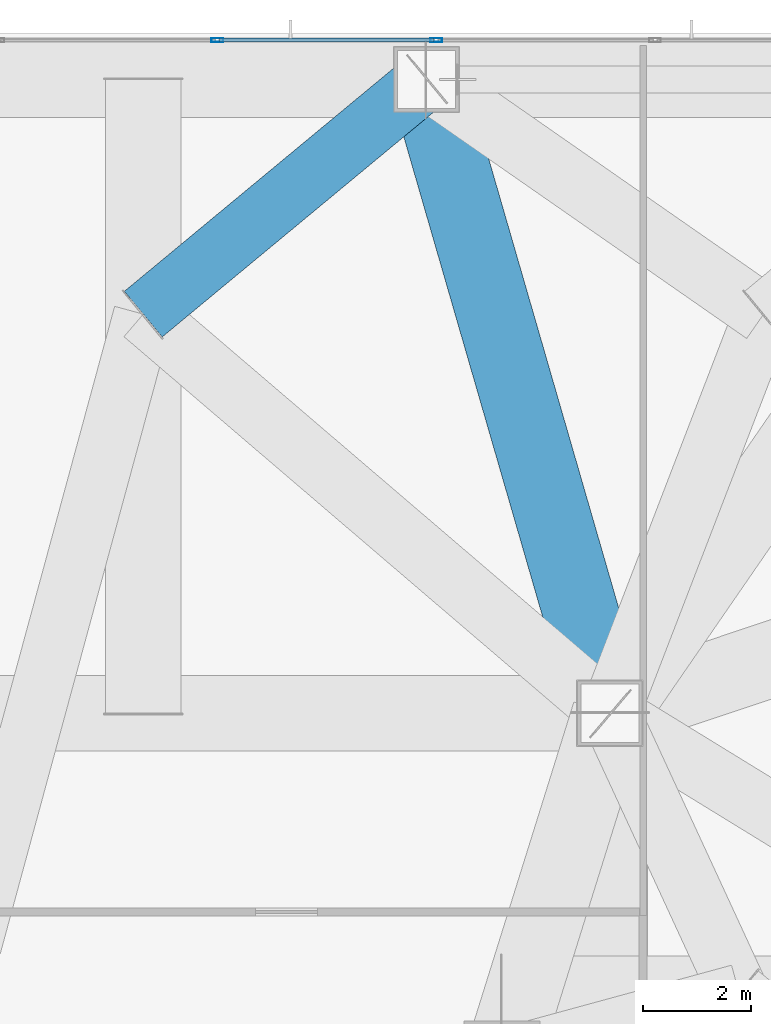
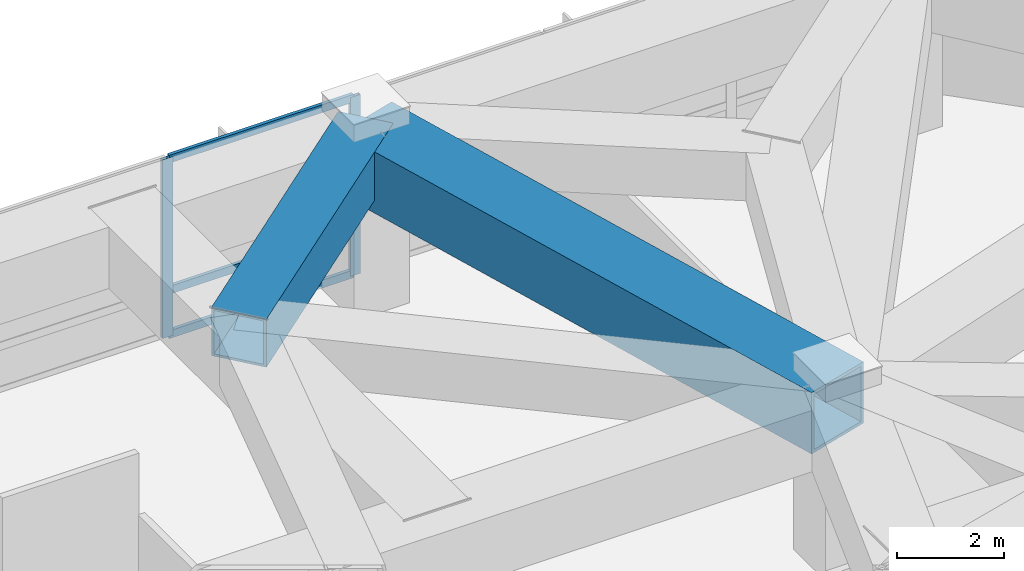
# One storey, part 10 of 27: 5 members, 2 beams, 1 element without a shape of its own.
"""IFC4 building model written with IfcOpenShell, lengths in metres."""

from ifc_helpers import new_model, si_unit, direction, frame, origin, origin_2d, place, context, subcontext, project, spatial, hollow_rectangle, extrude, material, material_profile, profile_set, type_object, element, aggregate, save


model = new_model("IFC4")

# Units and contexts
model_context = context("Model", 3, precision=1e-05, world=origin(), true_north=direction((0.0, 1.0)))
body_context = subcontext(model_context, "Body", "Model", "MODEL_VIEW")
ifc_project = project(units=[si_unit("LENGTHUNIT", "METRE"), si_unit("AREAUNIT", "SQUARE_METRE"), si_unit("VOLUMEUNIT", "CUBIC_METRE"), si_unit("PLANEANGLEUNIT", "RADIAN"), si_unit("MASSUNIT", "GRAM", prefix="KILO")], contexts=[model_context])

# Site, building, storey
site_placement = place(None, origin())
site = spatial("IfcSite", under=ifc_project, at=site_placement, CompositionType="ELEMENT")
building_placement = place(site_placement, origin())
building = spatial("IfcBuilding", under=site, at=building_placement, Name="Khamvora Tower", CompositionType="ELEMENT")
storey_placement = place(building_placement, frame((0.0, 0.0, 28.800048828125)))
storey = spatial("IfcBuildingStorey", under=building, at=storey_placement, Name="L06", CompositionType="ELEMENT", Elevation=28.800048828125)

# Beams
ifc_material_1 = material(Name="Steel S460", Category="steel")
ifc_material_profile_1 = material_profile(ifc_material_1, hollow_rectangle(XDim=1.10009765625, YDim=1.10009765625, WallThickness=0.054931640625, at=origin_2d()), Name="BOX1100x1100x55")
ifc_profile_set_1 = profile_set([ifc_material_profile_1], Name="Steel S460")
beam_type_1 = type_object("IfcBeamType", Name="BM-TG-BOX1100", PredefinedType="BEAM", material=ifc_profile_set_1)
beam_1_placement = place(storey_placement, frame((38.0, 55.14990234375, 3.530029296875), z_axis=(-0.770032116246, -0.638005125332, 0.0), x_axis=(0.638005125332, -0.770032116246, 0.0)))
element("IfcBeam", 1, at=beam_1_placement, inside=storey, type_object=beam_type_1, Name="L06 setback frame transfer frame transfer link N3.1", PredefinedType="BEAM", context=body_context, shape_type="SweptSolid", body=[
    extrude(hollow_rectangle(XDim=1.10009765625, YDim=1.10009765625, WallThickness=0.054931640625, at=origin_2d()), origin(), (0.0, 0.0, 1.0), 6.81787109375),
])
ifc_material_profile_2 = material_profile(ifc_material_1, hollow_rectangle(XDim=1.39990234375, YDim=1.39990234375, WallThickness=0.070068359375, at=origin_2d()), Name="BOX1400x1400x70")
ifc_profile_set_2 = profile_set([ifc_material_profile_2], Name="Steel S460")
beam_type_2 = type_object("IfcBeamType", Name="BM-TG-BOX1400", PredefinedType="BEAM", material=ifc_profile_set_2)
beam_2_placement = place(storey_placement, frame((41.39990234375, 43.39990234375, 3.3798828125), z_axis=(-0.277951455854, 0.960595121885, 0.0), x_axis=(-0.960595121885, -0.277951455854, 0.0)))
element("IfcBeam", 2, at=beam_2_placement, inside=storey, type_object=beam_type_2, Name="L06 primary floor girder P07", PredefinedType="BEAM", context=body_context, shape_type="SweptSolid", body=[
    extrude(hollow_rectangle(XDim=1.39990234375, YDim=1.39990234375, WallThickness=0.070068359375, at=origin_2d()), origin(), (0.0, 0.0, 1.0), 12.23193359375),
])

# Curtain wall, members
ifc_material_2 = material(Name="Anodised Aluminium 6063-T6", Category="aluminium")
curtain_wall_type = type_object("IfcCurtainWallType", Name="CW-SYS-01", PredefinedType="NOTDEFINED", material=ifc_material_2)
curtain_wall_placement = place(storey_placement, origin())
curtain_wall = element("IfcCurtainWall", 3, at=curtain_wall_placement, inside=storey, type_object=curtain_wall_type, Name="L06 stick curtain wall 07.1", PredefinedType="NOTDEFINED")
ifc_material_profile_3 = material_profile(ifc_material_2, hollow_rectangle(XDim=0.074951171875, YDim=0.219970703125, WallThickness=0.0048828125, at=origin_2d()), Name="MUL75x220x5")
ifc_profile_set_3 = profile_set([ifc_material_profile_3], Name="Anodised Aluminium 6063-T6")
member_type_1 = type_object("IfcMemberType", Name="CW-SYS-01-MUL", PredefinedType="MULLION", material=ifc_profile_set_3)
member_1_placement = place(storey_placement, frame((34.12353515625, 55.8798828125, 0.0), z_axis=(0.0, 0.0, 1.0), x_axis=(0.0, 1.0, 0.0)))
member_1 = element("IfcMember", 4, at=member_1_placement, type_object=member_type_1, Name="CW-01 mullion 8", PredefinedType="MULLION", context=body_context, shape_type="SweptSolid", body=[
    extrude(hollow_rectangle(XDim=0.074951171875, YDim=0.219970703125, WallThickness=0.0048828125, at=origin_2d()), origin(), (0.0, 0.0, 1.0), 4.079833984375),
])
member_2_placement = place(storey_placement, frame((38.18017578125, 55.8798828125, 0.0), z_axis=(0.0, 0.0, 1.0), x_axis=(0.0, 1.0, 0.0)))
member_2 = element("IfcMember", 5, at=member_2_placement, type_object=member_type_1, Name="CW-01 mullion 9", PredefinedType="MULLION", context=body_context, shape_type="SweptSolid", body=[
    extrude(hollow_rectangle(XDim=0.074951171875, YDim=0.219970703125, WallThickness=0.0048828125, at=origin_2d()), origin(), (0.0, 0.0, 1.0), 4.079833984375),
])
ifc_material_profile_4 = material_profile(ifc_material_2, hollow_rectangle(XDim=0.074951171875, YDim=0.179931640625, WallThickness=0.0048828125, at=origin_2d()), Name="TRN75x180x5")
ifc_profile_set_4 = profile_set([ifc_material_profile_4], Name="Anodised Aluminium 6063-T6")
member_type_2 = type_object("IfcMemberType", Name="CW-SYS-01-TRN", PredefinedType="USERDEFINED", material=ifc_profile_set_4)
member_3_placement = place(storey_placement, frame((34.160888671875, 55.8798828125, 0.037353515625), z_axis=(1.0, 0.0, 0.0), x_axis=(0.0, 1.0, 0.0)))
member_3 = element("IfcMember", 6, at=member_3_placement, type_object=member_type_2, Name="CW-01 transom 8.1", ObjectType="TRANSOM", PredefinedType="USERDEFINED", context=body_context, shape_type="SweptSolid", body=[
    extrude(hollow_rectangle(XDim=0.074951171875, YDim=0.179931640625, WallThickness=0.0048828125, at=origin_2d()), origin(), (0.0, 0.0, 1.0), 3.981689453125),
])
member_4_placement = place(storey_placement, frame((34.160888671875, 55.8798828125, 1.050048828125), z_axis=(1.0, 0.0, 0.0), x_axis=(0.0, 1.0, 0.0)))
member_4 = element("IfcMember", 7, at=member_4_placement, type_object=member_type_2, Name="CW-01 transom 8.2", ObjectType="TRANSOM", PredefinedType="USERDEFINED", context=body_context, shape_type="SweptSolid", body=[
    extrude(hollow_rectangle(XDim=0.074951171875, YDim=0.179931640625, WallThickness=0.0048828125, at=origin_2d()), origin(), (0.0, 0.0, 1.0), 3.981689453125),
])
member_5_placement = place(storey_placement, frame((34.160888671875, 55.8798828125, 4.04248046875), z_axis=(1.0, 0.0, 0.0), x_axis=(0.0, 1.0, 0.0)))
member_5 = element("IfcMember", 8, at=member_5_placement, type_object=member_type_2, Name="CW-01 transom 8.3", ObjectType="TRANSOM", PredefinedType="USERDEFINED", context=body_context, shape_type="SweptSolid", body=[
    extrude(hollow_rectangle(XDim=0.074951171875, YDim=0.179931640625, WallThickness=0.0048828125, at=origin_2d()), origin(), (0.0, 0.0, 1.0), 3.981689453125),
])
aggregate(curtain_wall, [member_1, member_2, member_3, member_4, member_5])

save(model, "model.ifc")
